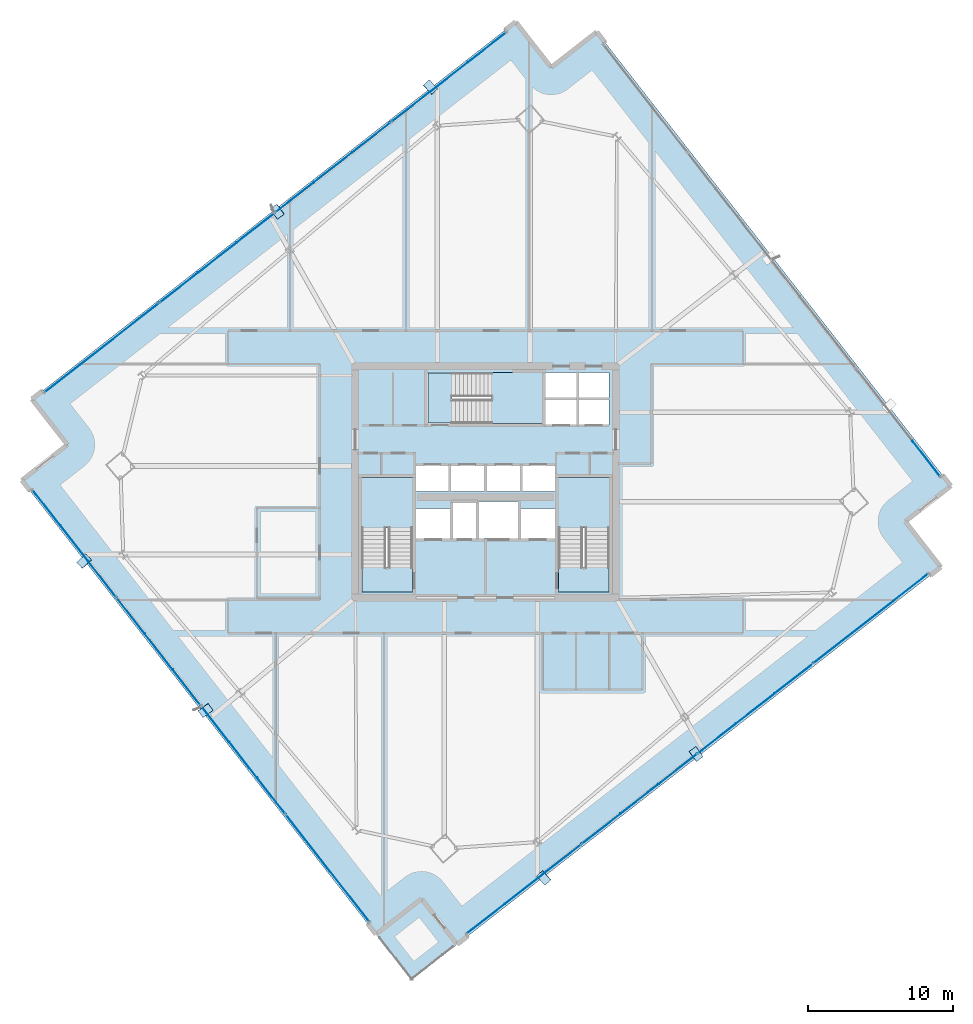
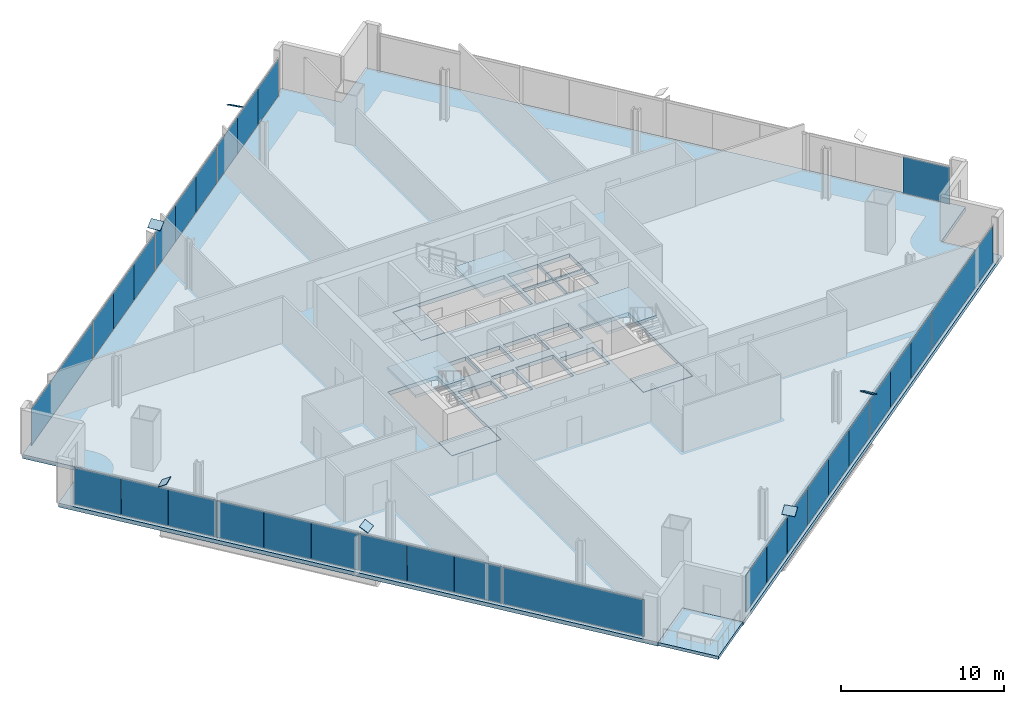
# One storey, part 23 of 32: 37 plates, 8 slabs, 7 elements without a shape of their own.
"""IFC4 building model written with IfcOpenShell, lengths in metres."""

from ifc_helpers import new_model, si_unit, direction, frame, origin, origin_2d, place, context, subcontext, project, spatial, polyline, rectangle, outline, extrude, source, transform, mapped, material, layer, layer_set, type_object, element, aggregate, save


model = new_model("IFC4")

# Units and contexts
model_context = context("Model", 3, precision=1e-05, world=origin(), true_north=direction((0.0, 1.0)))
body_context = subcontext(model_context, "Body", "Model", "MODEL_VIEW")
ifc_project = project(units=[si_unit("LENGTHUNIT", "METRE"), si_unit("AREAUNIT", "SQUARE_METRE"), si_unit("VOLUMEUNIT", "CUBIC_METRE"), si_unit("PLANEANGLEUNIT", "RADIAN"), si_unit("MASSUNIT", "GRAM", prefix="KILO")], contexts=[model_context])

# Site, building, storey
site_placement = place(None, origin())
site = spatial("IfcSite", under=ifc_project, at=site_placement, CompositionType="ELEMENT")
building_placement = place(site_placement, origin())
building = spatial("IfcBuilding", under=site, at=building_placement, Name="Haldenkirk Collegiate Tower", CompositionType="ELEMENT")
storey_placement = place(building_placement, frame((0.0, 0.0, 155.699951171875)))
storey = spatial("IfcBuildingStorey", under=building, at=storey_placement, Name="L38", CompositionType="ELEMENT", Elevation=155.699951171875)

# Slab
ifc_material_1 = material(Name="Concrete f'c 40 MPa", Category="concrete")
ifc_layer_1 = layer(ifc_material_1, 0.2900390625)
ifc_layer_set_1 = layer_set([ifc_layer_1], Name="Concrete f'c 40 MPa")
slab_type_1 = type_object("IfcSlabType", Name="SLB-FLR-290", PredefinedType="FLOOR", material=ifc_layer_set_1)
slab_1_placement = place(storey_placement, frame((0.0, 0.0, -0.2900390625)))
element("IfcSlab", 1, at=slab_1_placement, inside=storey, type_object=slab_type_1, Name="L38 composite structural floor slab", PredefinedType="FLOOR", context=body_context, shape_type="SweptSolid", body=[
    extrude(outline(polyline([(34.042236328125, -5.962646484375), (67.4765625, 20.1123046875), (65.0166015625, 23.2666015625), (68.1708984375, 25.726318359375), (43.69482421875, 57.110595703125), (40.540771484375, 54.650634765625), (38.080810546875, 57.804931640625), (4.646484375, 31.72998046875), (7.106201171875, 28.57568359375), (3.9521484375, 26.115966796875), (28.427978515625, -5.268310546875), (31.582275390625, -2.808349609375), (34.042236328125, -5.962646484375)]), holes=[polyline([(27.449951171875, 18.39990234375), (30.949951171875, 18.39990234375), (30.949951171875, 26.300048828125), (27.449951171875, 26.300048828125), (27.449951171875, 18.39990234375)]), polyline([(41.050048828125, 18.39990234375), (44.550048828125, 18.39990234375), (44.550048828125, 26.300048828125), (41.050048828125, 26.300048828125), (41.050048828125, 18.39990234375)]), polyline([(32.0, 30.050048828125), (39.89990234375, 30.050048828125), (39.89990234375, 33.550048828125), (32.0, 33.550048828125), (32.0, 30.050048828125)]), polyline([(33.75, 22.10009765625), (35.35009765625, 22.10009765625), (35.35009765625, 24.550048828125), (33.75, 24.550048828125), (33.75, 22.10009765625)]), polyline([(40.14990234375, 29.949951171875), (42.320068359375, 29.949951171875), (42.320068359375, 31.699951171875), (40.14990234375, 31.699951171875), (40.14990234375, 29.949951171875)]), polyline([(42.419921875, 29.949951171875), (44.550048828125, 29.949951171875), (44.550048828125, 31.699951171875), (42.419921875, 31.699951171875), (42.419921875, 29.949951171875)]), polyline([(40.14990234375, 31.800048828125), (42.320068359375, 31.800048828125), (42.320068359375, 33.550048828125), (40.14990234375, 33.550048828125), (40.14990234375, 31.800048828125)]), polyline([(42.419921875, 31.800048828125), (44.550048828125, 31.800048828125), (44.550048828125, 33.550048828125), (42.419921875, 33.550048828125), (42.419921875, 31.800048828125)]), polyline([(31.199951171875, 25.35009765625), (33.47998046875, 25.35009765625), (33.47998046875, 27.14990234375), (31.199951171875, 27.14990234375), (31.199951171875, 25.35009765625)]), polyline([(33.60009765625, 25.35009765625), (35.8798828125, 25.35009765625), (35.8798828125, 27.14990234375), (33.60009765625, 27.14990234375), (33.60009765625, 25.35009765625)]), polyline([(36.1201171875, 25.35009765625), (38.39990234375, 25.35009765625), (38.39990234375, 27.14990234375), (36.1201171875, 27.14990234375), (36.1201171875, 25.35009765625)]), polyline([(38.52001953125, 25.35009765625), (40.800048828125, 25.35009765625), (40.800048828125, 27.14990234375), (38.52001953125, 27.14990234375), (38.52001953125, 25.35009765625)]), polyline([(31.199951171875, 22.10009765625), (33.550048828125, 22.10009765625), (33.550048828125, 24.14990234375), (31.199951171875, 24.14990234375), (31.199951171875, 22.10009765625)]), polyline([(38.449951171875, 22.10009765625), (40.800048828125, 22.10009765625), (40.800048828125, 24.14990234375), (38.449951171875, 24.14990234375), (38.449951171875, 22.10009765625)]), polyline([(35.550048828125, 22.10009765625), (38.25, 22.10009765625), (38.25, 24.64990234375), (35.550048828125, 24.64990234375), (35.550048828125, 22.10009765625)])]), origin(), (0.0, 0.0, 1.0), 0.2900390625),
])

# Stair, slab
stair_type = type_object("IfcStairType", Name="STR-DOGLEG-1650", PredefinedType="HALF_TURN_STAIR", material=ifc_material_1)
stair_1_placement = place(storey_placement, origin())
stair_1 = element("IfcStair", 2, at=stair_1_placement, inside=storey, type_object=stair_type, Name="L38 Core Exit Stair ST-1", PredefinedType="HALF_TURN_STAIR")
ifc_layer_2 = layer(ifc_material_1, 0.199951171875)
ifc_layer_set_2 = layer_set([ifc_layer_2], Name="Concrete f'c 40 MPa")
slab_type_2 = type_object("IfcSlabType", Name="SLB-LANDING-200", PredefinedType="LANDING", material=ifc_layer_set_2)
slab_2_placement = place(storey_placement, frame((0.0, 0.0, 1.675048828125)))
slab_2 = element("IfcSlab", 3, at=slab_2_placement, type_object=slab_type_2, Name="ST-1 landing 1", PredefinedType="LANDING", context=body_context, shape_type="SweptSolid", body=[
    extrude(outline(polyline([(30.97509765625, 22.824951171875), (27.425048828125, 22.824951171875), (27.425048828125, 26.324951171875), (30.97509765625, 26.324951171875), (30.97509765625, 22.824951171875)])), origin(), (0.0, 0.0, 1.0), 0.199951171875),
])
aggregate(stair_1, [slab_2])

stair_2_placement = place(storey_placement, origin())
stair_2 = element("IfcStair", 4, at=stair_2_placement, inside=storey, type_object=stair_type, Name="L38 Core Exit Stair ST-2", PredefinedType="HALF_TURN_STAIR")
slab_3_placement = place(storey_placement, frame((0.0, 0.0, 1.675048828125)))
slab_3 = element("IfcSlab", 5, at=slab_3_placement, type_object=slab_type_2, Name="ST-2 landing 1", PredefinedType="LANDING", context=body_context, shape_type="SweptSolid", body=[
    extrude(outline(polyline([(44.574951171875, 22.824951171875), (41.02490234375, 22.824951171875), (41.02490234375, 26.324951171875), (44.574951171875, 26.324951171875), (44.574951171875, 22.824951171875)])), origin(), (0.0, 0.0, 1.0), 0.199951171875),
])
aggregate(stair_2, [slab_3])

stair_3_placement = place(storey_placement, origin())
stair_3 = element("IfcStair", 6, at=stair_3_placement, inside=storey, type_object=stair_type, Name="L38 Core Exit Stair ST-3", PredefinedType="HALF_TURN_STAIR")
slab_4_placement = place(storey_placement, frame((0.0, 0.0, 1.675048828125)))
slab_4 = element("IfcSlab", 7, at=slab_4_placement, type_object=slab_type_2, Name="ST-3 landing 1", PredefinedType="LANDING", context=body_context, shape_type="SweptSolid", body=[
    extrude(outline(polyline([(36.425048828125, 30.02490234375), (36.425048828125, 33.574951171875), (39.925048828125, 33.574951171875), (39.925048828125, 30.02490234375), (36.425048828125, 30.02490234375)])), origin(), (0.0, 0.0, 1.0), 0.199951171875),
])
aggregate(stair_3, [slab_4])

# Slabs
ifc_layer_3 = layer(ifc_material_1, 0.25)
ifc_layer_set_3 = layer_set([ifc_layer_3], Name="Concrete f'c 40 MPa")
slab_type_3 = type_object("IfcSlabType", Name="SLB-STAIRLAND-250", PredefinedType="LANDING", material=ifc_layer_set_3)
slab_5_placement = place(storey_placement, frame((0.0, 0.0, -0.25)))
element("IfcSlab", 8, at=slab_5_placement, inside=storey, type_object=slab_type_3, Name="L38 stair ST1 structural floor landing slab", PredefinedType="LANDING", context=body_context, shape_type="SweptSolid", body=[
    extrude(outline(polyline([(27.4599609375, 18.409912109375), (30.93994140625, 18.409912109375), (30.93994140625, 20.080078125), (27.4599609375, 20.080078125), (27.4599609375, 18.409912109375)])), origin(), (0.0, 0.0, 1.0), 0.25),
])
slab_6_placement = place(storey_placement, frame((0.0, 0.0, -0.25)))
element("IfcSlab", 9, at=slab_6_placement, inside=storey, type_object=slab_type_3, Name="L38 stair ST2 structural floor landing slab", PredefinedType="LANDING", context=body_context, shape_type="SweptSolid", body=[
    extrude(outline(polyline([(41.06005859375, 18.409912109375), (44.5400390625, 18.409912109375), (44.5400390625, 20.080078125), (41.06005859375, 20.080078125), (41.06005859375, 18.409912109375)])), origin(), (0.0, 0.0, 1.0), 0.25),
])
slab_7_placement = place(storey_placement, frame((0.0, 0.0, -0.25)))
element("IfcSlab", 10, at=slab_7_placement, inside=storey, type_object=slab_type_3, Name="L38 stair ST3 structural floor landing slab", PredefinedType="LANDING", context=body_context, shape_type="SweptSolid", body=[
    extrude(outline(polyline([(32.010009765625, 30.06005859375), (33.679931640625, 30.06005859375), (33.679931640625, 33.5400390625), (32.010009765625, 33.5400390625), (32.010009765625, 30.06005859375)])), origin(), (0.0, 0.0, 1.0), 0.25),
])
ifc_layer_4 = layer(ifc_material_1, 0.22998046875)
ifc_layer_set_4 = layer_set([ifc_layer_4], Name="Concrete f'c 40 MPa")
slab_type_4 = type_object("IfcSlabType", Name="SLB-TERR-SPIRAL-230", PredefinedType="FLOOR", material=ifc_layer_set_4)
slab_8_placement = place(storey_placement, frame((0.0, 0.0, -0.22998046875)))
element("IfcSlab", 11, at=slab_8_placement, inside=storey, type_object=slab_type_4, Name="L38 spiralling corner terrace slab", PredefinedType="FLOOR", context=body_context, shape_type="SweptSolid", body=[
    extrude(outline(polyline([(30.887939453125, -8.422607421875), (34.042236328125, -5.962646484375), (31.582275390625, -2.808349609375), (28.427978515625, -5.268310546875), (30.887939453125, -8.422607421875)])), origin(), (0.0, 0.0, 1.0), 0.22998046875),
])

# Plates
ifc_material_2 = material(Name="Steel ASTM A572 Grade 50", Category="steel")
ifc_layer_5 = layer(ifc_material_2, 0.034912109375)
ifc_layer_set_5 = layer_set([ifc_layer_5], Name="Steel ASTM A572 Grade 50")
plate_type_1 = type_object("IfcPlateType", Name="PLT-CAP-EXT-760X600", PredefinedType="USERDEFINED", material=ifc_layer_set_5)
shared_shape_1 = source(origin(), body_context, "Body", "SweptSolid", [
    extrude(rectangle(XDim=0.860107421875, YDim=0.659912109375, at=origin_2d()), origin(), (0.0, 0.0, 1.0), 0.034912109375),
])
for number, where, z_axis, x_axis, name in (
    (12, (40.035400390625, -1.362548828125, 3.44775390625), (-0.396049025502, -0.358676023096, 0.845279054428), (0.671269760963, -0.741213132653, 4.21154e-07), "Perimeter Mega Brace Z3 L36-L38 SL end cap plate 2"),
    (13, (50.552734375, 7.184326171875, 3.447509765625), (0.404495135636, 0.290957097564, 0.867022290731), (-0.583935735089, 0.811799887464, 2.59864e-07), "Perimeter Mega Brace Z3 L36-L38 SR end cap plate 2"),
    (14, (32.190673828125, 53.288818359375, 3.447509765625), (0.397596143931, 0.360416130472, 0.843811305463), (-0.67161621581, 0.740899223013, -1.5904e-08), "Perimeter Mega Brace Z3 L36-L38 NL end cap plate 2"),
    (15, (21.611572265625, 44.691650390625, 3.447509765625), (-0.406377917064, -0.291977940411, 0.865797823303), (0.583495539217, -0.812116343706, -4.10681e-07), "Perimeter Mega Brace Z3 L36-L38 NR end cap plate 2"),
    (16, (8.267333984375, 20.516845703125, 3.447509765625), (-0.350860854689, 0.391724837765, 0.850557647737), (-0.744891853129, -0.667185227011, -4.31987e-07), "Perimeter Mega Brace Z3 L36-L38 WL end cap plate 2"),
    (17, (16.64306640625, 10.21044921875, 3.447509765625), (0.289321090545, -0.39698812424, 0.871030272595), (0.808152065595, 0.588973886411, 2.31276e-07), "Perimeter Mega Brace Z3 L36-L38 WR end cap plate 2"),
):
    element("IfcPlate", number, at=place(storey_placement, frame(where, z_axis=z_axis, x_axis=x_axis)), inside=storey, type_object=plate_type_1, Name=name, ObjectType="END CAP PLATE", PredefinedType="USERDEFINED", context=body_context, shape_type="MappedRepresentation", body=[
        mapped(shared_shape_1, transform((0.0, 0.0, 0.0), x_axis=(1.0, 0.0, 0.0), y_axis=(0.0, 1.0, 0.0), z_axis=(0.0, 0.0, 1.0), scale=1.0)),
    ])

# Curtain wall, plates
ifc_material_3 = material(Name="Anodised architectural bronze aluminium", Category="aluminium")
curtain_wall_type_1 = type_object("IfcCurtainWallType", Name="CW-SYS2-CONCAVE", PredefinedType="USERDEFINED", material=ifc_material_3)
curtain_wall_1_placement = place(storey_placement, origin())
curtain_wall_1 = element("IfcCurtainWall", 18, at=curtain_wall_1_placement, inside=storey, type_object=curtain_wall_type_1, Name="L38 South concave recessed bronze-anodised curtain wall", ObjectType="UNITISED CURTAIN WALL", PredefinedType="USERDEFINED")
ifc_material_4 = material(Name="Low-E argon triple insulating glass", Category="glass")
ifc_layer_6 = layer(ifc_material_4, 0.0419921875)
ifc_layer_set_6 = layer_set([ifc_layer_6], Name="Low-E argon triple insulating glass")
plate_type_2 = type_object("IfcPlateType", Name="CW-PNL-02", PredefinedType="CURTAIN_PANEL", material=ifc_layer_set_6)
shared_shape_2 = source(origin(), body_context, "Body", "SweptSolid", [
    extrude(rectangle(XDim=10.03759765625, YDim=0.0419921875, at=origin_2d()), origin(), (0.0, 0.0, 1.0), 2.760986328125),
])
plate_1_placement = place(storey_placement, frame((62.6396484375, 16.568115234375, 0.0751953125), z_axis=(0.0, 0.0, 1.0), x_axis=(-0.788547693707, -0.614973604921, 0.0)))
plate_1 = element("IfcPlate", 19, at=plate_1_placement, type_object=plate_type_2, Name="CW-02 panel 1.1", PredefinedType="CURTAIN_PANEL", context=body_context, shape_type="MappedRepresentation", body=[
    mapped(shared_shape_2, transform((0.0, 0.0, 0.0), x_axis=(1.0, 0.0, 0.0), y_axis=(0.0, 1.0, 0.0), z_axis=(0.0, 0.0, 1.0), scale=1.0)),
])
shared_shape_3 = source(origin(), body_context, "Body", "SweptSolid", [
    extrude(rectangle(XDim=3.345703125, YDim=0.0419921875, at=origin_2d()), origin(), (0.0, 0.0, 1.0), 2.760986328125),
])
plate_2_placement = place(storey_placement, frame((57.3037109375, 12.406982421875, 0.0751953125), z_axis=(0.0, 0.0, 1.0), x_axis=(-0.788547693707, -0.614973604921, 0.0)))
plate_2 = element("IfcPlate", 20, at=plate_2_placement, type_object=plate_type_2, Name="CW-02 panel 2.1a", PredefinedType="CURTAIN_PANEL", context=body_context, shape_type="MappedRepresentation", body=[
    mapped(shared_shape_3, transform((0.0, 0.0, 0.0), x_axis=(1.0, 0.0, 0.0), y_axis=(0.0, 1.0, 0.0), z_axis=(0.0, 0.0, 1.0), scale=1.0)),
])
ifc_material_5 = material(Name="Bronze-anodised insulated aluminium spandrel panel", Category="aluminium")
ifc_layer_7 = layer(ifc_material_5, 0.0419921875)
ifc_layer_set_7 = layer_set([ifc_layer_7], Name="Bronze-anodised insulated aluminium spandrel panel")
plate_type_3 = type_object("IfcPlateType", Name="CW-SPD-02", PredefinedType="CURTAIN_PANEL", material=ifc_layer_set_7)
plate_3_placement = place(storey_placement, frame((51.997314453125, 8.2685546875, 0.0751953125), z_axis=(0.0, 0.0, 1.0), x_axis=(-0.788547693707, -0.614973604921, 0.0)))
plate_3 = element("IfcPlate", 21, at=plate_3_placement, type_object=plate_type_3, Name="CW-02 spandrel panel 2.1c", PredefinedType="CURTAIN_PANEL", context=body_context, shape_type="MappedRepresentation", body=[
    mapped(shared_shape_3, transform((0.0, 0.0, 0.0), x_axis=(1.0, 0.0, 0.0), y_axis=(0.0, 1.0, 0.0), z_axis=(0.0, 0.0, 1.0), scale=1.0)),
])
plate_4_placement = place(storey_placement, frame((49.300048828125, 6.164794921875, 0.0751953125), z_axis=(0.0, 0.0, 1.0), x_axis=(-0.788547693707, -0.614973604921, 0.0)))
plate_4 = element("IfcPlate", 22, at=plate_4_placement, type_object=plate_type_3, Name="CW-02 spandrel panel 3.1a", PredefinedType="CURTAIN_PANEL", context=body_context, shape_type="MappedRepresentation", body=[
    mapped(shared_shape_3, transform((0.0, 0.0, 0.0), x_axis=(1.0, 0.0, 0.0), y_axis=(0.0, 1.0, 0.0), z_axis=(0.0, 0.0, 1.0), scale=1.0)),
])
plate_5_placement = place(storey_placement, frame((43.99365234375, 2.026611328125, 0.0751953125), z_axis=(0.0, 0.0, 1.0), x_axis=(-0.788547693707, -0.614973604921, 0.0)))
plate_5 = element("IfcPlate", 23, at=plate_5_placement, type_object=plate_type_2, Name="CW-02 panel 3.1c", PredefinedType="CURTAIN_PANEL", context=body_context, shape_type="MappedRepresentation", body=[
    mapped(shared_shape_3, transform((0.0, 0.0, 0.0), x_axis=(1.0, 0.0, 0.0), y_axis=(0.0, 1.0, 0.0), z_axis=(0.0, 0.0, 1.0), scale=1.0)),
])
shared_shape_4 = source(origin(), body_context, "Body", "SweptSolid", [
    extrude(rectangle(XDim=3.333251953125, YDim=0.0419921875, at=origin_2d()), origin(), (0.0, 0.0, 1.0), 2.760986328125),
])
plate_6_placement = place(storey_placement, frame((54.650634765625, 10.337646484375, 0.0751953125), z_axis=(0.0, 0.0, 1.0), x_axis=(-0.788547693707, -0.614973604921, 0.0)))
plate_6 = element("IfcPlate", 24, at=plate_6_placement, type_object=plate_type_2, Name="CW-02 panel 2.1b", PredefinedType="CURTAIN_PANEL", context=body_context, shape_type="MappedRepresentation", body=[
    mapped(shared_shape_4, transform((0.0, 0.0, 0.0), x_axis=(1.0, 0.0, 0.0), y_axis=(0.0, 1.0, 0.0), z_axis=(0.0, 0.0, 1.0), scale=1.0)),
])
plate_7_placement = place(storey_placement, frame((46.646728515625, 4.095703125, 0.0751953125), z_axis=(0.0, 0.0, 1.0), x_axis=(-0.788547693707, -0.614973604921, 0.0)))
plate_7 = element("IfcPlate", 25, at=plate_7_placement, type_object=plate_type_2, Name="CW-02 panel 3.1b", PredefinedType="CURTAIN_PANEL", context=body_context, shape_type="MappedRepresentation", body=[
    mapped(shared_shape_4, transform((0.0, 0.0, 0.0), x_axis=(1.0, 0.0, 0.0), y_axis=(0.0, 1.0, 0.0), z_axis=(0.0, 0.0, 1.0), scale=1.0)),
])
plate_8_placement = place(storey_placement, frame((41.301025390625, -0.0732421875, 0.0751953125), z_axis=(0.0, 0.0, 1.0), x_axis=(-0.788547693707, -0.614973604921, 0.0)))
plate_8 = element("IfcPlate", 26, at=plate_8_placement, type_object=plate_type_3, Name="CW-02 spandrel panel 4.1a", PredefinedType="CURTAIN_PANEL", context=body_context, shape_type="MappedRepresentation", body=[
    mapped(shared_shape_4, transform((0.0, 0.0, 0.0), x_axis=(1.0, 0.0, 0.0), y_axis=(0.0, 1.0, 0.0), z_axis=(0.0, 0.0, 1.0), scale=1.0)),
])
plate_9_placement = place(storey_placement, frame((36.0146484375, -4.196044921875, 0.0751953125), z_axis=(0.0, 0.0, 1.0), x_axis=(-0.788547693707, -0.614973604921, 0.0)))
plate_9 = element("IfcPlate", 27, at=plate_9_placement, type_object=plate_type_2, Name="CW-02 panel 4.1c", PredefinedType="CURTAIN_PANEL", context=body_context, shape_type="MappedRepresentation", body=[
    mapped(shared_shape_4, transform((0.0, 0.0, 0.0), x_axis=(1.0, 0.0, 0.0), y_axis=(0.0, 1.0, 0.0), z_axis=(0.0, 0.0, 1.0), scale=1.0)),
])

curtain_wall_type_2 = type_object("IfcCurtainWallType", Name="CW-SYS1-CONVEX-LOW", PredefinedType="USERDEFINED", material=ifc_material_3)
curtain_wall_2_placement = place(storey_placement, origin())
curtain_wall_2 = element("IfcCurtainWall", 28, at=curtain_wall_2_placement, inside=storey, type_object=curtain_wall_type_2, Name="L38 Lower tower convex bronze-framed unitised curtain wall", ObjectType="UNITISED CURTAIN WALL", PredefinedType="USERDEFINED")
ifc_layer_8 = layer(ifc_material_4, 0.0439453125)
ifc_layer_set_8 = layer_set([ifc_layer_8], Name="Low-E argon triple insulating glass")
plate_type_4 = type_object("IfcPlateType", Name="CW-PNL-1A", PredefinedType="CURTAIN_PANEL", material=ifc_layer_set_8)
shared_shape_5 = source(origin(), body_context, "Body", "SweptSolid", [
    extrude(rectangle(XDim=9.3798828125, YDim=0.0439453125, at=origin_2d()), origin(), (0.0, 0.0, 1.0), 2.7509765625),
])
plate_10_placement = place(storey_placement, frame((25.0830078125, -0.6865234375, 0.080078125), z_axis=(0.0, 0.0, 1.0), x_axis=(-0.614973811968, 0.788547532235, 0.0)))
plate_10 = element("IfcPlate", 29, at=plate_10_placement, type_object=plate_type_4, Name="CW-1A panel 1.1", PredefinedType="CURTAIN_PANEL", context=body_context, shape_type="MappedRepresentation", body=[
    mapped(shared_shape_5, transform((0.0, 0.0, 0.0), x_axis=(1.0, 0.0, 0.0), y_axis=(0.0, 1.0, 0.0), z_axis=(0.0, 0.0, 1.0), scale=1.0)),
])
shared_shape_6 = source(origin(), body_context, "Body", "SweptSolid", [
    extrude(rectangle(XDim=3.12744140625, YDim=0.0439453125, at=origin_2d()), origin(), (0.0, 0.0, 1.0), 2.7509765625),
])
plate_11_placement = place(storey_placement, frame((21.18798828125, 4.307861328125, 0.080078125), z_axis=(0.0, 0.0, 1.0), x_axis=(-0.614973811968, 0.788547532235, 0.0)))
plate_11 = element("IfcPlate", 30, at=plate_11_placement, type_object=plate_type_4, Name="CW-1A panel 2.1a", PredefinedType="CURTAIN_PANEL", context=body_context, shape_type="MappedRepresentation", body=[
    mapped(shared_shape_6, transform((0.0, 0.0, 0.0), x_axis=(1.0, 0.0, 0.0), y_axis=(0.0, 1.0, 0.0), z_axis=(0.0, 0.0, 1.0), scale=1.0)),
])
ifc_layer_9 = layer(ifc_material_5, 0.0439453125)
ifc_layer_set_9 = layer_set([ifc_layer_9], Name="Bronze-anodised insulated aluminium spandrel panel")
plate_type_5 = type_object("IfcPlateType", Name="CW-SPD-1A", PredefinedType="CURTAIN_PANEL", material=ifc_layer_set_9)
plate_12_placement = place(storey_placement, frame((17.318359375, 9.27001953125, 0.080078125), z_axis=(0.0, 0.0, 1.0), x_axis=(-0.614973811968, 0.788547532235, 0.0)))
plate_12 = element("IfcPlate", 31, at=plate_12_placement, type_object=plate_type_5, Name="CW-1A spandrel panel 2.1c", PredefinedType="CURTAIN_PANEL", context=body_context, shape_type="MappedRepresentation", body=[
    mapped(shared_shape_6, transform((0.0, 0.0, 0.0), x_axis=(1.0, 0.0, 0.0), y_axis=(0.0, 1.0, 0.0), z_axis=(0.0, 0.0, 1.0), scale=1.0)),
])
plate_13_placement = place(storey_placement, frame((15.345703125, 11.799072265625, 0.080078125), z_axis=(0.0, 0.0, 1.0), x_axis=(-0.614973811968, 0.788547532235, 0.0)))
plate_13 = element("IfcPlate", 32, at=plate_13_placement, type_object=plate_type_5, Name="CW-1A spandrel panel 3.1a", PredefinedType="CURTAIN_PANEL", context=body_context, shape_type="MappedRepresentation", body=[
    mapped(shared_shape_6, transform((0.0, 0.0, 0.0), x_axis=(1.0, 0.0, 0.0), y_axis=(0.0, 1.0, 0.0), z_axis=(0.0, 0.0, 1.0), scale=1.0)),
])
plate_14_placement = place(storey_placement, frame((11.47607421875, 16.760986328125, 0.080078125), z_axis=(0.0, 0.0, 1.0), x_axis=(-0.614973811968, 0.788547532235, 0.0)))
plate_14 = element("IfcPlate", 33, at=plate_14_placement, type_object=plate_type_4, Name="CW-1A panel 3.1c", PredefinedType="CURTAIN_PANEL", context=body_context, shape_type="MappedRepresentation", body=[
    mapped(shared_shape_6, transform((0.0, 0.0, 0.0), x_axis=(1.0, 0.0, 0.0), y_axis=(0.0, 1.0, 0.0), z_axis=(0.0, 0.0, 1.0), scale=1.0)),
])
shared_shape_7 = source(origin(), body_context, "Body", "SweptSolid", [
    extrude(rectangle(XDim=3.114990234375, YDim=0.0439453125, at=origin_2d()), origin(), (0.0, 0.0, 1.0), 2.7509765625),
])
plate_15_placement = place(storey_placement, frame((19.253173828125, 6.788818359375, 0.080078125), z_axis=(0.0, 0.0, 1.0), x_axis=(-0.614973811968, 0.788547532235, 0.0)))
plate_15 = element("IfcPlate", 34, at=plate_15_placement, type_object=plate_type_4, Name="CW-1A panel 2.1b", PredefinedType="CURTAIN_PANEL", context=body_context, shape_type="MappedRepresentation", body=[
    mapped(shared_shape_7, transform((0.0, 0.0, 0.0), x_axis=(1.0, 0.0, 0.0), y_axis=(0.0, 1.0, 0.0), z_axis=(0.0, 0.0, 1.0), scale=1.0)),
])
plate_16_placement = place(storey_placement, frame((13.410888671875, 14.280029296875, 0.080078125), z_axis=(0.0, 0.0, 1.0), x_axis=(-0.614973811968, 0.788547532235, 0.0)))
plate_16 = element("IfcPlate", 35, at=plate_16_placement, type_object=plate_type_4, Name="CW-1A panel 3.1b", PredefinedType="CURTAIN_PANEL", context=body_context, shape_type="MappedRepresentation", body=[
    mapped(shared_shape_7, transform((0.0, 0.0, 0.0), x_axis=(1.0, 0.0, 0.0), y_axis=(0.0, 1.0, 0.0), z_axis=(0.0, 0.0, 1.0), scale=1.0)),
])

curtain_wall_3_placement = place(storey_placement, origin())
curtain_wall_3 = element("IfcCurtainWall", 36, at=curtain_wall_3_placement, inside=storey, type_object=curtain_wall_type_2, Name="L38 Lower tower convex bronze-framed unitised curtain wall", ObjectType="UNITISED CURTAIN WALL", PredefinedType="USERDEFINED")
shared_shape_8 = source(origin(), body_context, "Body", "SweptSolid", [
    extrude(rectangle(XDim=10.030029296875, YDim=0.0439453125, at=origin_2d()), origin(), (0.0, 0.0, 1.0), 2.7509765625),
])
plate_17_placement = place(storey_placement, frame((9.484375, 35.27490234375, 0.080078125), z_axis=(0.0, 0.0, 1.0), x_axis=(0.788547693707, 0.614973604921, 0.0)))
plate_17 = element("IfcPlate", 37, at=plate_17_placement, type_object=plate_type_4, Name="CW-1A panel 1.1", PredefinedType="CURTAIN_PANEL", context=body_context, shape_type="MappedRepresentation", body=[
    mapped(shared_shape_8, transform((0.0, 0.0, 0.0), x_axis=(1.0, 0.0, 0.0), y_axis=(0.0, 1.0, 0.0), z_axis=(0.0, 0.0, 1.0), scale=1.0)),
])
shared_shape_9 = source(origin(), body_context, "Body", "SweptSolid", [
    extrude(rectangle(XDim=3.34423828125, YDim=0.0439453125, at=origin_2d()), origin(), (0.0, 0.0, 1.0), 2.7509765625),
])
plate_18_placement = place(storey_placement, frame((14.820556640625, 39.4365234375, 0.080078125), z_axis=(0.0, 0.0, 1.0), x_axis=(0.788547693707, 0.614973604921, 0.0)))
plate_18 = element("IfcPlate", 38, at=plate_18_placement, type_object=plate_type_4, Name="CW-1A panel 2.1a", PredefinedType="CURTAIN_PANEL", context=body_context, shape_type="MappedRepresentation", body=[
    mapped(shared_shape_9, transform((0.0, 0.0, 0.0), x_axis=(1.0, 0.0, 0.0), y_axis=(0.0, 1.0, 0.0), z_axis=(0.0, 0.0, 1.0), scale=1.0)),
])
plate_19_placement = place(storey_placement, frame((20.124267578125, 43.57275390625, 0.080078125), z_axis=(0.0, 0.0, 1.0), x_axis=(0.788547693707, 0.614973604921, 0.0)))
plate_19 = element("IfcPlate", 39, at=plate_19_placement, type_object=plate_type_5, Name="CW-1A spandrel panel 2.1c", PredefinedType="CURTAIN_PANEL", context=body_context, shape_type="MappedRepresentation", body=[
    mapped(shared_shape_9, transform((0.0, 0.0, 0.0), x_axis=(1.0, 0.0, 0.0), y_axis=(0.0, 1.0, 0.0), z_axis=(0.0, 0.0, 1.0), scale=1.0)),
])
plate_20_placement = place(storey_placement, frame((22.824462890625, 45.678466796875, 0.080078125), z_axis=(0.0, 0.0, 1.0), x_axis=(0.788547693707, 0.614973604921, 0.0)))
plate_20 = element("IfcPlate", 40, at=plate_20_placement, type_object=plate_type_5, Name="CW-1A spandrel panel 3.1a", PredefinedType="CURTAIN_PANEL", context=body_context, shape_type="MappedRepresentation", body=[
    mapped(shared_shape_9, transform((0.0, 0.0, 0.0), x_axis=(1.0, 0.0, 0.0), y_axis=(0.0, 1.0, 0.0), z_axis=(0.0, 0.0, 1.0), scale=1.0)),
])
plate_21_placement = place(storey_placement, frame((28.1279296875, 49.814697265625, 0.080078125), z_axis=(0.0, 0.0, 1.0), x_axis=(0.788547693707, 0.614973604921, 0.0)))
plate_21 = element("IfcPlate", 41, at=plate_21_placement, type_object=plate_type_4, Name="CW-1A panel 3.1c", PredefinedType="CURTAIN_PANEL", context=body_context, shape_type="MappedRepresentation", body=[
    mapped(shared_shape_9, transform((0.0, 0.0, 0.0), x_axis=(1.0, 0.0, 0.0), y_axis=(0.0, 1.0, 0.0), z_axis=(0.0, 0.0, 1.0), scale=1.0)),
])
shared_shape_10 = source(origin(), body_context, "Body", "SweptSolid", [
    extrude(rectangle(XDim=3.331787109375, YDim=0.0439453125, at=origin_2d()), origin(), (0.0, 0.0, 1.0), 2.7509765625),
])
plate_22_placement = place(storey_placement, frame((17.472412109375, 41.504638671875, 0.080078125), z_axis=(0.0, 0.0, 1.0), x_axis=(0.788547693707, 0.614973604921, 0.0)))
plate_22 = element("IfcPlate", 42, at=plate_22_placement, type_object=plate_type_4, Name="CW-1A panel 2.1b", PredefinedType="CURTAIN_PANEL", context=body_context, shape_type="MappedRepresentation", body=[
    mapped(shared_shape_10, transform((0.0, 0.0, 0.0), x_axis=(1.0, 0.0, 0.0), y_axis=(0.0, 1.0, 0.0), z_axis=(0.0, 0.0, 1.0), scale=1.0)),
])
plate_23_placement = place(storey_placement, frame((25.476318359375, 47.74658203125, 0.080078125), z_axis=(0.0, 0.0, 1.0), x_axis=(0.788547693707, 0.614973604921, 0.0)))
plate_23 = element("IfcPlate", 43, at=plate_23_placement, type_object=plate_type_4, Name="CW-1A panel 3.1b", PredefinedType="CURTAIN_PANEL", context=body_context, shape_type="MappedRepresentation", body=[
    mapped(shared_shape_10, transform((0.0, 0.0, 0.0), x_axis=(1.0, 0.0, 0.0), y_axis=(0.0, 1.0, 0.0), z_axis=(0.0, 0.0, 1.0), scale=1.0)),
])

# Plate
shared_shape_11 = source(origin(), body_context, "Body", "SweptSolid", [
    extrude(rectangle(XDim=3.32080078125, YDim=0.0419921875, at=origin_2d()), origin(), (0.0, 0.0, 1.0), 2.760986328125),
])
plate_24_placement = place(storey_placement, frame((38.657958984375, -2.134765625, 0.0751953125), z_axis=(0.0, 0.0, 1.0), x_axis=(-0.788547693707, -0.614973604921, 0.0)))
plate_24 = element("IfcPlate", 44, at=plate_24_placement, type_object=plate_type_3, Name="CW-02 spandrel panel 4.1b", PredefinedType="CURTAIN_PANEL", context=body_context, shape_type="MappedRepresentation", body=[
    mapped(shared_shape_11, transform((0.0, 0.0, 0.0), x_axis=(1.0, 0.0, 0.0), y_axis=(0.0, 1.0, 0.0), z_axis=(0.0, 0.0, 1.0), scale=1.0)),
])

aggregate(curtain_wall_1, [plate_1, plate_2, plate_6, plate_3, plate_4, plate_7, plate_5, plate_8, plate_24, plate_9])

# Curtain wall, plate
curtain_wall_4_placement = place(storey_placement, origin())
curtain_wall_4 = element("IfcCurtainWall", 45, at=curtain_wall_4_placement, inside=storey, type_object=curtain_wall_type_2, Name="L38 Lower tower convex bronze-framed unitised curtain wall", ObjectType="UNITISED CURTAIN WALL", PredefinedType="USERDEFINED")
shared_shape_12 = source(origin(), body_context, "Body", "SweptSolid", [
    extrude(rectangle(XDim=3.1142578125, YDim=0.0439453125, at=origin_2d()), origin(), (0.0, 0.0, 1.0), 2.7509765625),
])
plate_25_placement = place(storey_placement, frame((66.46875, 27.6162109375, 0.080078125), z_axis=(0.0, 0.0, 1.0), x_axis=(0.614973811968, -0.788547532235, 0.0)))
plate_25 = element("IfcPlate", 46, at=plate_25_placement, type_object=plate_type_4, Name="CW-1A panel 4.1c", PredefinedType="CURTAIN_PANEL", context=body_context, shape_type="MappedRepresentation", body=[
    mapped(shared_shape_12, transform((0.0, 0.0, 0.0), x_axis=(1.0, 0.0, 0.0), y_axis=(0.0, 1.0, 0.0), z_axis=(0.0, 0.0, 1.0), scale=1.0)),
])
aggregate(curtain_wall_4, [plate_25])

# Plate
plate_26_placement = place(storey_placement, frame((9.507568359375, 19.28515625, 0.080078125), z_axis=(0.0, 0.0, 1.0), x_axis=(-0.614973811968, 0.788547532235, 0.0)))
plate_26 = element("IfcPlate", 47, at=plate_26_placement, type_object=plate_type_5, Name="CW-1A spandrel panel 4.1a", PredefinedType="CURTAIN_PANEL", context=body_context, shape_type="MappedRepresentation", body=[
    mapped(shared_shape_12, transform((0.0, 0.0, 0.0), x_axis=(1.0, 0.0, 0.0), y_axis=(0.0, 1.0, 0.0), z_axis=(0.0, 0.0, 1.0), scale=1.0)),
])

plate_27_placement = place(storey_placement, frame((5.654296875, 24.22607421875, 0.080078125), z_axis=(0.0, 0.0, 1.0), x_axis=(-0.614973811968, 0.788547532235, 0.0)))
plate_27 = element("IfcPlate", 48, at=plate_27_placement, type_object=plate_type_4, Name="CW-1A panel 4.1c", PredefinedType="CURTAIN_PANEL", context=body_context, shape_type="MappedRepresentation", body=[
    mapped(shared_shape_12, transform((0.0, 0.0, 0.0), x_axis=(1.0, 0.0, 0.0), y_axis=(0.0, 1.0, 0.0), z_axis=(0.0, 0.0, 1.0), scale=1.0)),
])

shared_shape_13 = source(origin(), body_context, "Body", "SweptSolid", [
    extrude(rectangle(XDim=3.101806640625, YDim=0.0439453125, at=origin_2d()), origin(), (0.0, 0.0, 1.0), 2.7509765625),
])
plate_28_placement = place(storey_placement, frame((7.580810546875, 21.755615234375, 0.080078125), z_axis=(0.0, 0.0, 1.0), x_axis=(-0.614973811968, 0.788547532235, 0.0)))
plate_28 = element("IfcPlate", 49, at=plate_28_placement, type_object=plate_type_5, Name="CW-1A spandrel panel 4.1b", PredefinedType="CURTAIN_PANEL", context=body_context, shape_type="MappedRepresentation", body=[
    mapped(shared_shape_13, transform((0.0, 0.0, 0.0), x_axis=(1.0, 0.0, 0.0), y_axis=(0.0, 1.0, 0.0), z_axis=(0.0, 0.0, 1.0), scale=1.0)),
])

aggregate(curtain_wall_2, [plate_10, plate_11, plate_15, plate_12, plate_13, plate_16, plate_14, plate_26, plate_28, plate_27])

shared_shape_14 = source(origin(), body_context, "Body", "SweptSolid", [
    extrude(rectangle(XDim=3.330810546875, YDim=0.0439453125, at=origin_2d()), origin(), (0.0, 0.0, 1.0), 2.7509765625),
])
plate_29_placement = place(storey_placement, frame((30.822998046875, 51.916259765625, 0.080078125), z_axis=(0.0, 0.0, 1.0), x_axis=(0.788547693707, 0.614973604921, 0.0)))
plate_29 = element("IfcPlate", 50, at=plate_29_placement, type_object=plate_type_5, Name="CW-1A spandrel panel 4.1a", PredefinedType="CURTAIN_PANEL", context=body_context, shape_type="MappedRepresentation", body=[
    mapped(shared_shape_14, transform((0.0, 0.0, 0.0), x_axis=(1.0, 0.0, 0.0), y_axis=(0.0, 1.0, 0.0), z_axis=(0.0, 0.0, 1.0), scale=1.0)),
])

plate_30_placement = place(storey_placement, frame((36.10546875, 56.0361328125, 0.080078125), z_axis=(0.0, 0.0, 1.0), x_axis=(0.788547693707, 0.614973604921, 0.0)))
plate_30 = element("IfcPlate", 51, at=plate_30_placement, type_object=plate_type_4, Name="CW-1A panel 4.1c", PredefinedType="CURTAIN_PANEL", context=body_context, shape_type="MappedRepresentation", body=[
    mapped(shared_shape_14, transform((0.0, 0.0, 0.0), x_axis=(1.0, 0.0, 0.0), y_axis=(0.0, 1.0, 0.0), z_axis=(0.0, 0.0, 1.0), scale=1.0)),
])

shared_shape_15 = source(origin(), body_context, "Body", "SweptSolid", [
    extrude(rectangle(XDim=3.318359375, YDim=0.0439453125, at=origin_2d()), origin(), (0.0, 0.0, 1.0), 2.7509765625),
])
plate_31_placement = place(storey_placement, frame((33.464111328125, 53.976318359375, 0.080078125), z_axis=(0.0, 0.0, 1.0), x_axis=(0.788547693707, 0.614973604921, 0.0)))
plate_31 = element("IfcPlate", 52, at=plate_31_placement, type_object=plate_type_5, Name="CW-1A spandrel panel 4.1b", PredefinedType="CURTAIN_PANEL", context=body_context, shape_type="MappedRepresentation", body=[
    mapped(shared_shape_15, transform((0.0, 0.0, 0.0), x_axis=(1.0, 0.0, 0.0), y_axis=(0.0, 1.0, 0.0), z_axis=(0.0, 0.0, 1.0), scale=1.0)),
])

aggregate(curtain_wall_3, [plate_17, plate_18, plate_22, plate_19, plate_20, plate_23, plate_21, plate_29, plate_31, plate_30])

save(model, "model.ifc")
